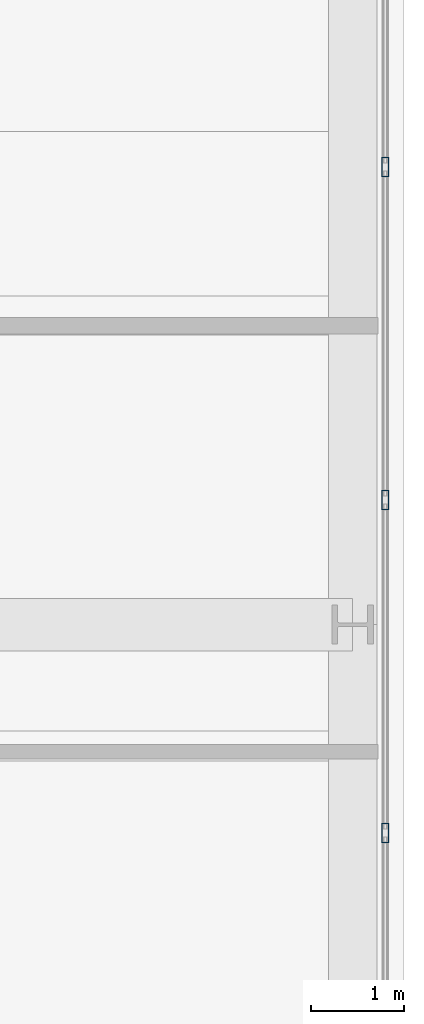
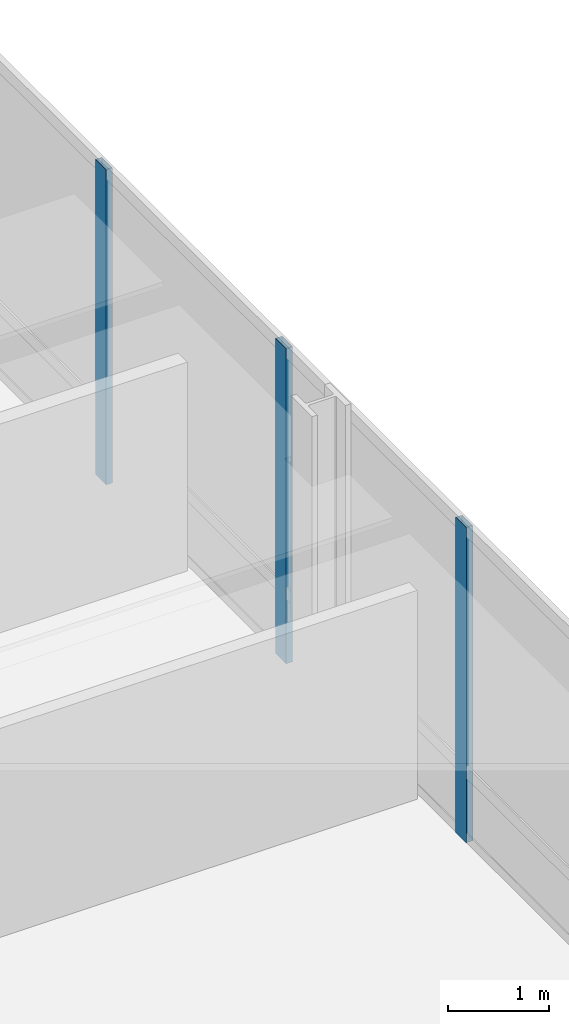
# One storey, part 17 of 35: 3 members, 1 element without a shape of its own.
"""IFC4 building model written with IfcOpenShell, lengths in metres."""

from ifc_helpers import new_model, si_unit, direction, frame, origin, origin_2d, place, context, subcontext, project, spatial, hollow_rectangle, extrude, material, material_profile, profile_set, type_object, element, aggregate, save


model = new_model("IFC4")

# Units and contexts
model_context = context("Model", 3, precision=1e-05, world=origin(), true_north=direction((0.0, 1.0)))
body_context = subcontext(model_context, "Body", "Model", "MODEL_VIEW")
ifc_project = project(units=[si_unit("LENGTHUNIT", "METRE"), si_unit("AREAUNIT", "SQUARE_METRE"), si_unit("VOLUMEUNIT", "CUBIC_METRE"), si_unit("PLANEANGLEUNIT", "RADIAN"), si_unit("MASSUNIT", "GRAM", prefix="KILO")], contexts=[model_context])

# Site, building, storey
site_placement = place(None, origin())
site = spatial("IfcSite", under=ifc_project, at=site_placement, CompositionType="ELEMENT")
building_placement = place(site_placement, origin())
building = spatial("IfcBuilding", under=site, at=building_placement, Name="Punatoya Terracotta Tower", CompositionType="ELEMENT")
storey_placement = place(building_placement, frame((0.0, 0.0, 68.699951171875)))
storey = spatial("IfcBuildingStorey", under=building, at=storey_placement, Name="L15", CompositionType="ELEMENT", Elevation=68.699951171875)

# Curtain wall, members
ifc_material_1 = material(Name="Aluminium 6063-T6 + Double Low-E Glass", Category="aluminium")
curtain_wall_type = type_object("IfcCurtainWallType", Name="CW-M1", PredefinedType="NOTDEFINED", material=ifc_material_1)
curtain_wall_placement = place(storey_placement, origin())
curtain_wall = element("IfcCurtainWall", 1, at=curtain_wall_placement, inside=storey, type_object=curtain_wall_type, Name="L15 Curtain Wall CW-L15-E05-1", PredefinedType="NOTDEFINED")
ifc_material_2 = material(Name="Aluminium 6063-T6", Category="aluminium")
ifc_material_profile = material_profile(ifc_material_2, hollow_rectangle(XDim=0.074951171875, YDim=0.2099609375, WallThickness=0.00439453125, at=origin_2d()))
ifc_profile_set = profile_set([ifc_material_profile], Name="Aluminium 6063-T6")
member_type = type_object("IfcMemberType", Name="CW-MUL-M1", PredefinedType="MULLION", material=ifc_profile_set)
member_1_placement = place(storey_placement, frame((24.85009765625, 1.16748046875, 0.0), z_axis=(0.0, 0.0, 1.0), x_axis=(1.0, 0.0, 0.0)))
member_1 = element("IfcMember", 2, at=member_1_placement, type_object=member_type, Name="CW-L15-E05-1 Mullion 06", PredefinedType="MULLION", context=body_context, shape_type="SweptSolid", body=[
    extrude(hollow_rectangle(XDim=0.074951171875, YDim=0.2099609375, WallThickness=0.00439453125, at=origin_2d()), origin(), (0.0, 0.0, 1.0), 3.81005859375),
])
member_2_placement = place(storey_placement, frame((24.85009765625, 4.73486328125, 0.0), z_axis=(0.0, 0.0, 1.0), x_axis=(1.0, 0.0, 0.0)))
member_2 = element("IfcMember", 3, at=member_2_placement, type_object=member_type, Name="CW-L15-E05-1 Mullion 07", PredefinedType="MULLION", context=body_context, shape_type="SweptSolid", body=[
    extrude(hollow_rectangle(XDim=0.074951171875, YDim=0.2099609375, WallThickness=0.00439453125, at=origin_2d()), origin(), (0.0, 0.0, 1.0), 3.81005859375),
])
member_3_placement = place(storey_placement, frame((24.85009765625, 8.302001953125, 0.0), z_axis=(0.0, 0.0, 1.0), x_axis=(1.0, 0.0, 0.0)))
member_3 = element("IfcMember", 4, at=member_3_placement, type_object=member_type, Name="CW-L15-E05-1 Mullion 08", PredefinedType="MULLION", context=body_context, shape_type="SweptSolid", body=[
    extrude(hollow_rectangle(XDim=0.074951171875, YDim=0.2099609375, WallThickness=0.00439453125, at=origin_2d()), origin(), (0.0, 0.0, 1.0), 3.81005859375),
])
aggregate(curtain_wall, [member_1, member_2, member_3])

save(model, "model.ifc")
